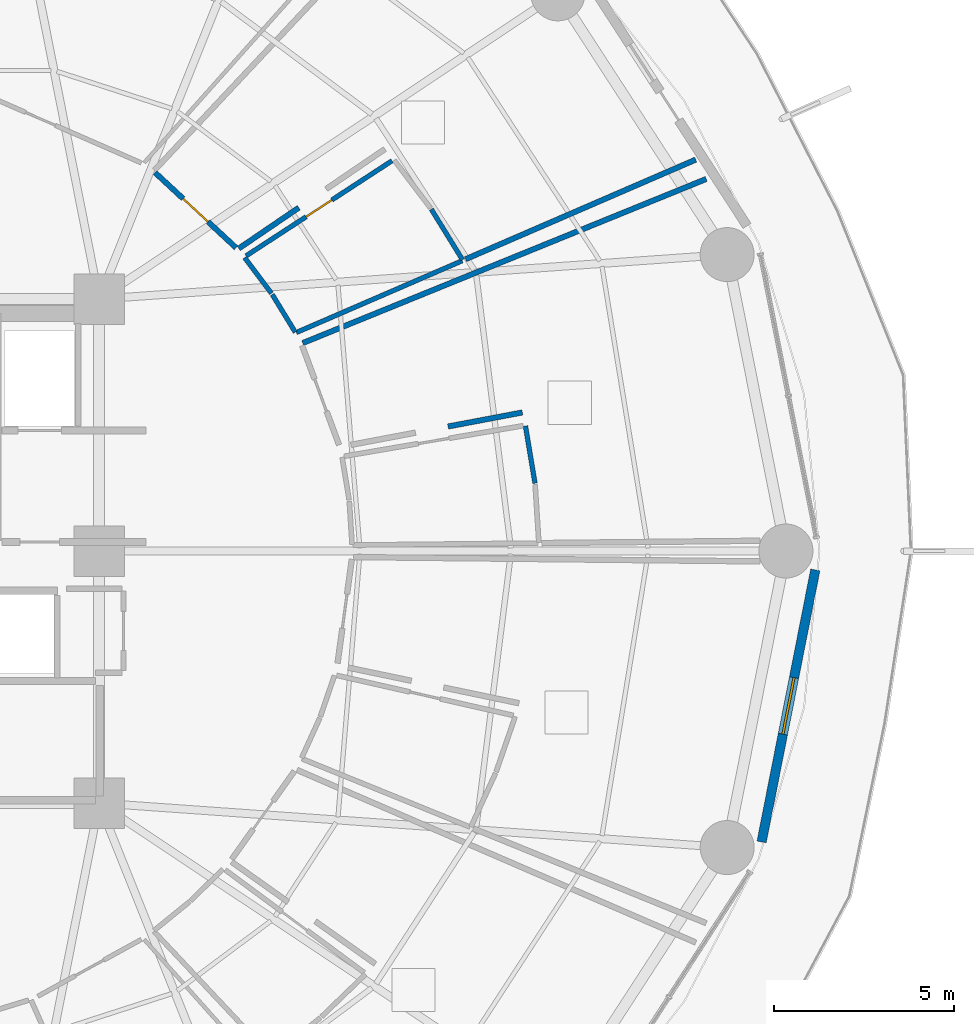
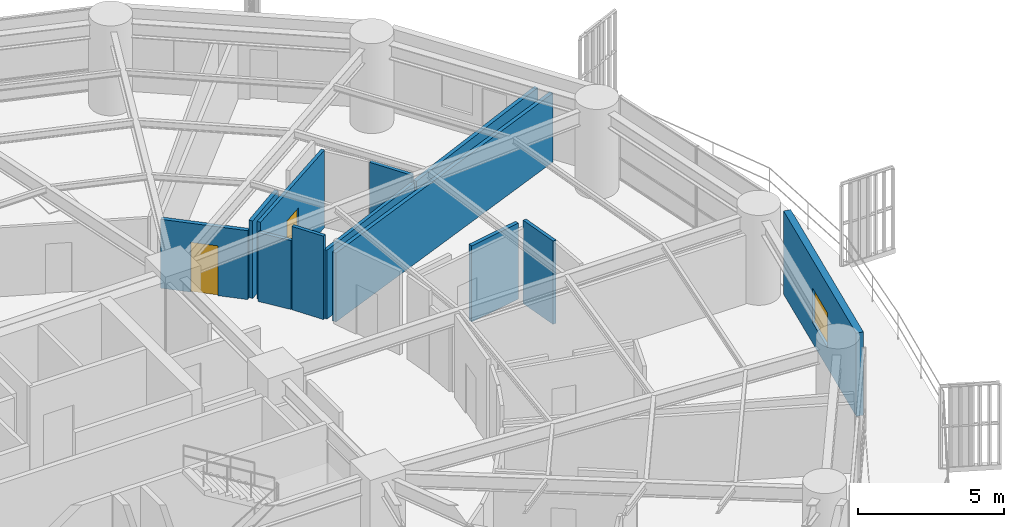
# One storey, part 27 of 35: 12 walls, 2 doors, 1 window, 3 openings.
"""IFC4 building model written with IfcOpenShell, lengths in metres."""

import ifcopenshell
import ifcopenshell.guid

model = None  # the IFC model being written
_history = None  # IfcOwnerHistory: only IFC2X3 demands one
_inside = {}  # id of a spatial element -> (the spatial element, [elements in it])
_under = {}  # id of a project, library or spatial element -> (it, [spatial elements below it])
_declared = {}  # id of a project -> (the project, [libraries it declares])
_typed = {}  # id of a type object -> (the type object, [elements of that type])
_made_of = {}  # id of a material, layer set ... -> (it, [elements and type objects made of it])


def new_model(schema):
    """Start an empty IFC model of exactly this schema.

    Asked for "IFC4X3", IfcOpenShell would pick the latest addendum, in which some entities
    have other attributes; the version numbers below select the first issue.
    IFC2X3 requires an IfcOwnerHistory on every rooted entity: one is made here for all.
    """
    global model, _history
    if schema == "IFC4X3":
        model = ifcopenshell.file(schema_version=(4, 3, 0, 0))
    else:
        model = ifcopenshell.file(schema=schema)
    _inside.clear()
    _under.clear()
    _declared.clear()
    _typed.clear()
    _made_of.clear()
    _history = None
    if model.schema == "IFC2X3":
        org = make("IfcOrganization", Name="unknown")
        user = make(
            "IfcPersonAndOrganization",
            ThePerson=make("IfcPerson", FamilyName="unknown"),
            TheOrganization=org,
        )
        app = make(
            "IfcApplication",
            ApplicationDeveloper=org,
            Version="unknown",
            ApplicationFullName="unknown",
            ApplicationIdentifier="unknown",
        )
        _history = make(
            "IfcOwnerHistory",
            OwningUser=user,
            OwningApplication=app,
            ChangeAction="ADDED",
            CreationDate=0,
        )
    return model


def make(cls, **values):
    """One entity of the class cls with the attributes given. An attribute that is None is left unset."""
    return model.create_entity(
        cls, **{name: value for name, value in values.items() if value is not None}
    )


def rooted(cls, **values):
    """An entity with a GlobalId (a new one), such as an element, a storey or a relation."""
    return make(cls, GlobalId=ifcopenshell.guid.new(), OwnerHistory=_history, **values)


def si_unit(unit_type, name, prefix=None):
    """IfcSIUnit, for example si_unit("LENGTHUNIT", "METRE", prefix="MILLI")."""
    return make("IfcSIUnit", UnitType=unit_type, Prefix=prefix, Name=name)


def assignment(units):
    """IfcUnitAssignment: the units of a project."""
    return None if units is None else make("IfcUnitAssignment", Units=units)


def point(xyz):
    """IfcCartesianPoint."""
    return None if xyz is None else make("IfcCartesianPoint", Coordinates=xyz)


def direction(xyz):
    """IfcDirection."""
    return None if xyz is None else make("IfcDirection", DirectionRatios=xyz)


def frame(location, z_axis=None, x_axis=None):
    """IfcAxis2Placement3D, a coordinate frame: its origin and axes. An axis left out is left unset."""
    return make(
        "IfcAxis2Placement3D",
        Location=point(location),
        Axis=direction(z_axis),
        RefDirection=direction(x_axis),
    )


def frame_2d(location, x_axis=None):
    """IfcAxis2Placement2D, a coordinate frame in the plane: its origin and x axis."""
    return make(
        "IfcAxis2Placement2D", Location=point(location), RefDirection=direction(x_axis)
    )


def origin():
    """The frame at (0, 0, 0) with its axes left unset."""
    return frame((0.0, 0.0, 0.0))


def place(relative_to, where):
    """IfcLocalPlacement: puts the frame where relative to a parent placement (None: the world)."""
    return make(
        "IfcLocalPlacement", PlacementRelTo=relative_to, RelativePlacement=where
    )


def context(
    kind, dimensions, precision=None, world=None, true_north=None, identifier=None
):
    """IfcGeometricRepresentationContext, for example the 3D "Model" context."""
    return make(
        "IfcGeometricRepresentationContext",
        ContextIdentifier=identifier,
        ContextType=kind,
        CoordinateSpaceDimension=dimensions,
        Precision=precision,
        WorldCoordinateSystem=world,
        TrueNorth=true_north,
    )


def subcontext(parent, identifier, kind, view, scale=None):
    """IfcGeometricRepresentationSubContext, for example "Body" below "Model"."""
    return make(
        "IfcGeometricRepresentationSubContext",
        ContextIdentifier=identifier,
        ContextType=kind,
        ParentContext=parent,
        TargetScale=scale,
        TargetView=view,
    )


def project(units=None, contexts=None):
    """IfcProject with its units and contexts."""
    return rooted(
        "IfcProject",
        Name="project",
        RepresentationContexts=contexts,
        UnitsInContext=assignment(units),
    )


def spatial(cls, under=None, at=None, **own):
    """A site, building, storey or space (cls), placed at a placement, below another one or the project."""
    s = rooted(cls, ObjectPlacement=at, **own)
    if under is not None:
        _under.setdefault(under.id(), (under, []))[1].append(s)
    return s


def profile(cls, at=None, kind="AREA", **sizes):
    """A parametric profile (cls). Its sizes go by their IFC names, for example OverallWidth=200.0."""
    return make(cls, ProfileType=kind, Position=at, **sizes)


def rectangle(**sizes):
    """IfcRectangleProfileDef."""
    return profile("IfcRectangleProfileDef", **sizes)


def extrude(swept, where, along, depth):
    """IfcExtrudedAreaSolid: the profile swept, set in the frame where, extruded along a direction by depth."""
    return make(
        "IfcExtrudedAreaSolid",
        SweptArea=swept,
        Position=where,
        ExtrudedDirection=direction(along),
        Depth=depth,
    )


def shape(context_of_items, identifier, shape_type, items):
    """IfcShapeRepresentation: the items that make up one representation, for example the "Body"."""
    return make(
        "IfcShapeRepresentation",
        ContextOfItems=context_of_items,
        RepresentationIdentifier=identifier,
        RepresentationType=shape_type,
        Items=items,
    )


def material(Name=None, Category=None):
    """IfcMaterial."""
    return make("IfcMaterial", Name=Name, Category=Category)


def layer(
    of_material, thickness, ventilated=None, Name=None, Category=None, Priority=None
):
    """IfcMaterialLayer: one layer of a wall or slab, of a material (None: an air gap)."""
    return make(
        "IfcMaterialLayer",
        Material=of_material,
        LayerThickness=thickness,
        IsVentilated=ventilated,
        Name=Name,
        Category=Category,
        Priority=Priority,
    )


def layer_set(layers, Name=None):
    """IfcMaterialLayerSet."""
    return make("IfcMaterialLayerSet", MaterialLayers=layers, LayerSetName=Name)


def made_of(thing, what):
    """Note that an element or type object is made of a material, layer set ...; save() writes the relation."""
    if what is not None:
        _made_of.setdefault(what.id(), (what, []))[1].append(thing)
    return thing


def type_object(cls, material=None, **own):
    """A type object (cls), such as IfcWallType, which elements share."""
    return made_of(rooted(cls, **own), material)


def element(
    cls,
    number,
    at=None,
    inside=None,
    cuts=None,
    type_object=None,
    material=None,
    context=None,
    identifier="Body",
    shape_type=None,
    held_by="IfcProductDefinitionShape",
    body=None,
    shapes=None,
    **own,
):
    """One element of the class cls, such as IfcWall. Its Tag is "e" and its number.

    at: its placement. inside: the storey or other place that contains it. cuts: it is an
    opening in that element (IfcRelVoidsElement). A single representation is given by context,
    identifier, shape_type and body (its items); several are given by shapes. held_by: the class
    of the entity that holds the representations. save() writes the other relations.
    """
    e = rooted(cls, Tag="e%d" % number, ObjectPlacement=at, **own)
    if body is not None:
        shapes = [shape(context, identifier, shape_type, body)]
    if shapes is not None:
        e.Representation = make(held_by, Representations=shapes)
    if inside is not None:
        _inside.setdefault(inside.id(), (inside, []))[1].append(e)
    if cuts is not None:
        rooted(
            "IfcRelVoidsElement", RelatingBuildingElement=cuts, RelatedOpeningElement=e
        )
    if type_object is not None:
        _typed.setdefault(type_object.id(), (type_object, []))[1].append(e)
    return made_of(e, material)


def fill(opening, filler):
    """IfcRelFillsElement: the door or window that sits in an opening."""
    return rooted(
        "IfcRelFillsElement",
        RelatingOpeningElement=opening,
        RelatedBuildingElement=filler,
    )


def aggregate(whole, parts):
    """IfcRelAggregates: a whole, such as a stair, and the parts it consists of."""
    return rooted("IfcRelAggregates", RelatingObject=whole, RelatedObjects=parts)


def save(model, path):
    """Write the relations noted so far, then the file.

    IfcRelAggregates (storeys below a building ...), IfcRelContainedInSpatialStructure (elements
    in a storey), IfcRelDefinesByType, IfcRelAssociatesMaterial and IfcRelDeclares: one each for
    every whole, place, type object, material and project.
    """
    for whole, parts in _under.values():
        aggregate(whole, parts)
    for where, things in _inside.values():
        rooted(
            "IfcRelContainedInSpatialStructure",
            RelatedElements=things,
            RelatingStructure=where,
        )
    for kind, things in _typed.values():
        rooted("IfcRelDefinesByType", RelatedObjects=things, RelatingType=kind)
    for what, things in _made_of.values():
        rooted("IfcRelAssociatesMaterial", RelatedObjects=things, RelatingMaterial=what)
    for by, libraries in _declared.values():
        rooted("IfcRelDeclares", RelatingContext=by, RelatedDefinitions=libraries)
    model.write(path)


model = new_model("IFC4")

# Units and contexts
model_context = context("Model", 3, precision=1e-05, world=origin(), true_north=direction((0.0, 1.0)))
body_context = subcontext(model_context, "Body", "Model", "MODEL_VIEW")
ifc_project = project(units=[si_unit("LENGTHUNIT", "METRE"), si_unit("AREAUNIT", "SQUARE_METRE"), si_unit("VOLUMEUNIT", "CUBIC_METRE"), si_unit("PLANEANGLEUNIT", "RADIAN"), si_unit("MASSUNIT", "GRAM", prefix="KILO")], contexts=[model_context])

# Site, building, storey
site_placement = place(None, origin())
site = spatial("IfcSite", under=ifc_project, at=site_placement, CompositionType="ELEMENT")
building_placement = place(site_placement, origin())
building = spatial("IfcBuilding", under=site, at=building_placement, Name="Kelanora Arch Commons", CompositionType="ELEMENT")
storey_placement = place(building_placement, frame((0.0, 0.0, 22.5)))
storey = spatial("IfcBuildingStorey", under=building, at=storey_placement, Name="L05", CompositionType="ELEMENT", Elevation=22.5)

# Wall, opening, door
ifc_material_1 = material(Name="Autoclaved aerated concrete blockwork with fire plaster", Category="masonry")
ifc_layer_1 = layer(ifc_material_1, 0.14990234375)
ifc_layer_set_1 = layer_set([ifc_layer_1], Name="Autoclaved aerated concrete blockwork with fire plaster")
wall_type_1 = type_object("IfcWallType", Name="W-COMP-150", PredefinedType="PARTITIONING", material=ifc_layer_set_1)
wall_1_placement = place(storey_placement, frame((85.805908203125, 66.4248046875, 0.0), z_axis=(0.0, 0.0, 1.0), x_axis=(-0.7329267348, 0.680307578538, 0.0)))
wall_1 = element("IfcWall", 1, at=wall_1_placement, inside=storey, type_object=wall_type_1, Name="Co-Living Studio L05-02 Entry Partition", PredefinedType="PARTITIONING", context=body_context, shape_type="SweptSolid", body=[
    extrude(rectangle(XDim=3.06689453125, YDim=0.14990234375, at=frame_2d((1.533447265625, 0.0))), origin(), (0.0, 0.0, 1.0), 2.875),
])
opening_1_placement = place(wall_1_placement, frame((1.05908203125, 0.0, 0.0)))
opening_1 = element("IfcOpeningElement", 2, at=opening_1_placement, cuts=wall_1, Name="Opening D-CLU1", PredefinedType="OPENING", context=body_context, shape_type="SweptSolid", body=[
    extrude(rectangle(XDim=0.949951171875, YDim=2.080078125, at=frame_2d((0.47509765625, 1.0400390625))), frame((0.0, 0.0849609375, 0.0), z_axis=(0.0, -1.0, 0.0), x_axis=(1.0, 0.0, 0.0)), (0.0, 0.0, 1.0), 0.169921875),
])
ifc_material_2 = material(Name="Solid-core acoustic timber cluster entry fire door", Category="wood")
door_type_1 = type_object("IfcDoorType", Name="D-CLU-95", OperationType="NOTDEFINED", PredefinedType="DOOR", material=ifc_material_2)
door_1_placement = place(opening_1_placement, origin())
door_1 = element("IfcDoor", 3, at=door_1_placement, inside=storey, type_object=door_type_1, Name="Co-Living Studio L05-02 Door", OperationType="SINGLE_SWING_LEFT", OverallHeight=2.080078125, OverallWidth=0.949951171875, PredefinedType="DOOR", context=body_context, shape_type="SweptSolid", body=[
    extrude(rectangle(XDim=0.949951171875, YDim=2.080078125, at=frame_2d((0.47509765625, 1.0400390625))), frame((0.0, 0.02490234375, 0.0), z_axis=(0.0, -1.0, 0.0), x_axis=(1.0, 0.0, 0.0)), (0.0, 0.0, 1.0), 0.050048828125),
])
fill(opening_1, door_1)

# Walls
wall_2_placement = place(storey_placement, frame((87.656982421875, 63.778076171875, 0.0), z_axis=(0.0, 0.0, 1.0), x_axis=(0.926333713065, 0.376703931542, 0.0)))
element("IfcWall", 4, at=wall_2_placement, inside=storey, type_object=wall_type_1, Name="Co-Living Studio L05-01 Enclosure Partition 2", PredefinedType="PARTITIONING", context=body_context, shape_type="SweptSolid", body=[
    extrude(rectangle(XDim=12.099365234375, YDim=0.14990234375, at=frame_2d((6.0498046875, 0.0))), origin(), (0.0, 0.0, 1.0), 2.875),
])
wall_3_placement = place(storey_placement, frame((93.7587890625, 61.8505859375, 0.0), z_axis=(0.0, 0.0, 1.0), x_axis=(-0.98260291219, -0.185718919219, 0.0)))
element("IfcWall", 5, at=wall_3_placement, inside=storey, type_object=wall_type_1, Name="Co-Living Studio L05-01 Enclosure Partition 7", PredefinedType="PARTITIONING", context=body_context, shape_type="SweptSolid", body=[
    extrude(rectangle(XDim=2.10205078125, YDim=0.14990234375, at=frame_2d((1.051025390625, 0.0))), origin(), (0.0, 0.0, 1.0), 3.175048828125),
])
wall_4_placement = place(storey_placement, frame((98.57421875, 68.8740234375, 0.0), z_axis=(0.0, 0.0, 1.0), x_axis=(-0.917736225937, -0.397190407239, 0.0)))
element("IfcWall", 6, at=wall_4_placement, inside=storey, type_object=wall_type_1, Name="Co-Living Studio L05-02 Enclosure Partition 5", PredefinedType="PARTITIONING", context=body_context, shape_type="SweptSolid", body=[
    extrude(rectangle(XDim=6.966552734375, YDim=0.14990234375, at=frame_2d((3.4833984375, 0.0))), origin(), (0.0, 0.0, 1.0), 2.875),
])
wall_5_placement = place(storey_placement, frame((87.548583984375, 67.539306640625, 0.0), z_axis=(0.0, 0.0, 1.0), x_axis=(-0.826867883695, -0.562396215237, 0.0)))
element("IfcWall", 7, at=wall_5_placement, inside=storey, type_object=wall_type_1, Name="Co-Living Studio L05-02 Enclosure Partition 7", PredefinedType="PARTITIONING", context=body_context, shape_type="SweptSolid", body=[
    extrude(rectangle(XDim=2.01416015625, YDim=0.14990234375, at=frame_2d((1.007080078125, 0.0))), origin(), (0.0, 0.0, 1.0), 3.235107421875),
])

# Wall, opening, window
ifc_material_3 = material(Name="Precast concrete C40/50 with terracotta rainscreen", Category="masonry")
ifc_layer_2 = layer(ifc_material_3, 0.260009765625)
ifc_layer_set_2 = layer_set([ifc_layer_2], Name="Precast concrete C40/50 with terracotta rainscreen")
wall_type_2 = type_object("IfcWallType", Name="W-EXT-TC", PredefinedType="SOLIDWALL", material=ifc_layer_set_2)
wall_6_placement = place(storey_placement, frame((100.404296875, 49.919921875, 0.0), z_axis=(0.0, 0.0, 1.0), x_axis=(0.193726159581, 0.98105564322, 0.0)))
wall_6 = element("IfcWall", 8, at=wall_6_placement, inside=storey, type_object=wall_type_2, Name="Terracotta Exterior Wall L05-B17", PredefinedType="SOLIDWALL", context=body_context, shape_type="SweptSolid", body=[
    extrude(rectangle(XDim=7.70263671875, YDim=0.260009765625, at=frame_2d((3.851318359375, 0.0))), origin(), (0.0, 0.0, 1.0), 3.47509765625),
])
opening_2_placement = place(wall_6_placement, frame((3.051025390625, 0.0, 0.85009765625)))
opening_2 = element("IfcOpeningElement", 9, at=opening_2_placement, cuts=wall_6, Name="Opening WN-01", PredefinedType="OPENING", context=body_context, shape_type="SweptSolid", body=[
    extrude(rectangle(XDim=1.60009765625, YDim=1.449951171875, at=frame_2d((0.800048828125, 0.72509765625))), frame((0.0, 0.14013671875, 0.0), z_axis=(0.0, -1.0, 0.0), x_axis=(1.0, 0.0, 0.0)), (0.0, 0.0, 1.0), 0.280029296875),
])
ifc_material_4 = material(Name="Terracotta-anodised aluminium frame with operable low-E glazing", Category="masonry")
window_type = type_object("IfcWindowType", Name="WIN-CL-18", PartitioningType="DOUBLE_PANEL_VERTICAL", PredefinedType="WINDOW", material=ifc_material_4)
window_placement = place(opening_2_placement, origin())
window = element("IfcWindow", 10, at=window_placement, inside=storey, type_object=window_type, Name="Co-Living Operable Window L05-B17", OverallHeight=1.449951171875, OverallWidth=1.60009765625, PartitioningType="SINGLE_PANEL", PredefinedType="WINDOW", context=body_context, shape_type="SweptSolid", body=[
    extrude(rectangle(XDim=1.60009765625, YDim=1.449951171875, at=frame_2d((0.800048828125, 0.72509765625))), frame((0.0, 0.030029296875, 0.0), z_axis=(0.0, -1.0, 0.0), x_axis=(1.0, 0.0, 0.0)), (0.0, 0.0, 1.0), 0.06005859375),
])
fill(opening_2, window)

# Wall, opening, door
ifc_material_5 = material(Name="Moisture-resistant fire-rated cement-board plumbing wall")
ifc_layer_3 = layer(ifc_material_5, 0.1298828125)
ifc_layer_set_3 = layer_set([ifc_layer_3], Name="Moisture-resistant fire-rated cement-board plumbing wall")
wall_type_3 = type_object("IfcWallType", Name="W-WET-120", PredefinedType="PLUMBINGWALL", material=ifc_layer_set_3)
wall_7_placement = place(storey_placement, frame((86.083251953125, 66.19970703125, 0.0), z_axis=(0.0, 0.0, 1.0), x_axis=(0.837796261941, 0.545982988267, 0.0)))
wall_7 = element("IfcWall", 11, at=wall_7_placement, inside=storey, type_object=wall_type_3, Name="En-Suite Shower WC L05-02 Entry Partition", PredefinedType="PLUMBINGWALL", context=body_context, shape_type="SweptSolid", body=[
    extrude(rectangle(XDim=4.838134765625, YDim=0.1298828125, at=frame_2d((2.4189453125, 0.0))), origin(), (0.0, 0.0, 1.0), 3.235107421875),
])
opening_3_placement = place(wall_7_placement, frame((1.989013671875, 0.0, 0.0)))
opening_3 = element("IfcOpeningElement", 12, at=opening_3_placement, cuts=wall_7, Name="Opening D-BT1", PredefinedType="OPENING", context=body_context, shape_type="SweptSolid", body=[
    extrude(rectangle(XDim=0.860107421875, YDim=2.050048828125, at=frame_2d((0.43017578125, 1.02490234375))), frame((0.0, 0.074951171875, 0.0), z_axis=(0.0, -1.0, 0.0), x_axis=(1.0, 0.0, 0.0)), (0.0, 0.0, 1.0), 0.14990234375),
])
ifc_material_6 = material(Name="Moisture-sealed fire-rated accessible bathroom door")
door_type_2 = type_object("IfcDoorType", Name="D-BATH-85", OperationType="NOTDEFINED", PredefinedType="DOOR", material=ifc_material_6)
door_2_placement = place(opening_3_placement, origin())
door_2 = element("IfcDoor", 13, at=door_2_placement, inside=storey, type_object=door_type_2, Name="En-Suite Shower WC L05-02 Door", OperationType="SINGLE_SWING_RIGHT", OverallHeight=2.050048828125, OverallWidth=0.860107421875, PredefinedType="DOOR", context=body_context, shape_type="SweptSolid", body=[
    extrude(rectangle(XDim=0.860107421875, YDim=2.050048828125, at=frame_2d((0.43017578125, 1.02490234375))), frame((0.0, 0.02490234375, 0.0), z_axis=(0.0, -1.0, 0.0), x_axis=(1.0, 0.0, 0.0)), (0.0, 0.0, 1.0), 0.050048828125),
])
fill(opening_3, door_2)

# Walls
wall_8_placement = place(storey_placement, frame((93.84423828125, 61.473388671875, 0.0), z_axis=(0.0, 0.0, 1.0), x_axis=(0.16417773594, -0.986430773558, 0.0)))
element("IfcWall", 14, at=wall_8_placement, inside=storey, type_object=wall_type_3, Name="En-Suite Shower WC L05-01 Enclosure Partition 4", PredefinedType="PLUMBINGWALL", context=body_context, shape_type="SweptSolid", body=[
    extrude(rectangle(XDim=1.610595703125, YDim=0.1298828125, at=frame_2d((0.80517578125, 0.0))), origin(), (0.0, 0.0, 1.0), 3.47998046875),
])
wall_9_placement = place(storey_placement, frame((87.45068359375, 64.080078125, 0.0), z_axis=(0.0, 0.0, 1.0), x_axis=(-0.52146609248, 0.853272004928, 0.0)))
element("IfcWall", 15, at=wall_9_placement, inside=storey, type_object=wall_type_3, Name="En-Suite Shower WC L05-02 Enclosure Partition 1", PredefinedType="PLUMBINGWALL", context=body_context, shape_type="SweptSolid", body=[
    extrude(rectangle(XDim=1.22802734375, YDim=0.1298828125, at=frame_2d((0.614013671875, 0.0))), origin(), (0.0, 0.0, 1.0), 3.47998046875),
])
wall_10_placement = place(storey_placement, frame((86.7880859375, 65.160888671875, 0.0), z_axis=(0.0, 0.0, 1.0), x_axis=(-0.600347056143, 0.79973959023, 0.0)))
element("IfcWall", 16, at=wall_10_placement, inside=storey, type_object=wall_type_3, Name="En-Suite Shower WC L05-02 Enclosure Partition 2", PredefinedType="PLUMBINGWALL", context=body_context, shape_type="SweptSolid", body=[
    extrude(rectangle(XDim=1.23779296875, YDim=0.1298828125, at=frame_2d((0.618896484375, 0.0))), origin(), (0.0, 0.0, 1.0), 2.875),
])
wall_11_placement = place(storey_placement, frame((91.2294921875, 67.4951171875, 0.0), z_axis=(0.0, 0.0, 1.0), x_axis=(0.525540089642, -0.850768837099, 0.0)))
element("IfcWall", 17, at=wall_11_placement, inside=storey, type_object=wall_type_3, Name="En-Suite Shower WC L05-02 Enclosure Partition 5", PredefinedType="PLUMBINGWALL", context=body_context, shape_type="SweptSolid", body=[
    extrude(rectangle(XDim=1.6513671875, YDim=0.1298828125, at=frame_2d((0.82568359375, 0.0))), origin(), (0.0, 0.0, 1.0), 3.175048828125),
])
wall_12_placement = place(storey_placement, frame((92.089599609375, 66.065185546875, 0.0), z_axis=(0.0, 0.0, 1.0), x_axis=(-0.917797204715, -0.397049481826, 0.0)))
element("IfcWall", 18, at=wall_12_placement, inside=storey, type_object=wall_type_3, Name="En-Suite Shower WC L05-02 Enclosure Partition 6", PredefinedType="PLUMBINGWALL", context=body_context, shape_type="SweptSolid", body=[
    extrude(rectangle(XDim=5.02294921875, YDim=0.1298828125, at=frame_2d((2.511474609375, 0.0))), origin(), (0.0, 0.0, 1.0), 2.875),
])

save(model, "model.ifc")
